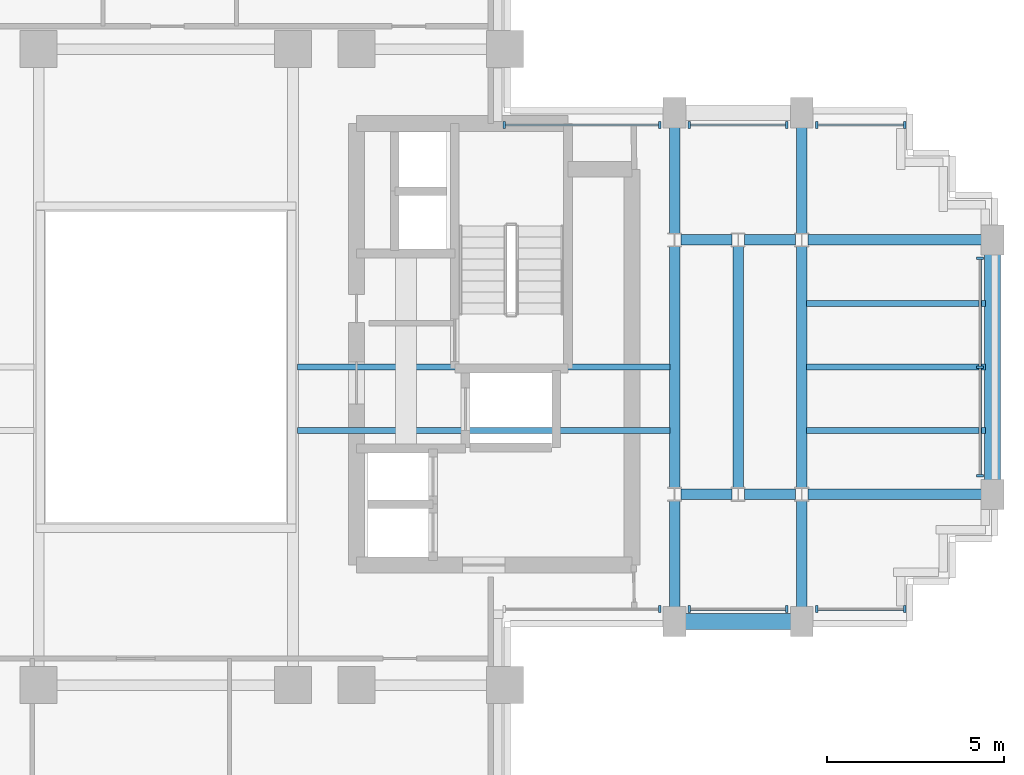
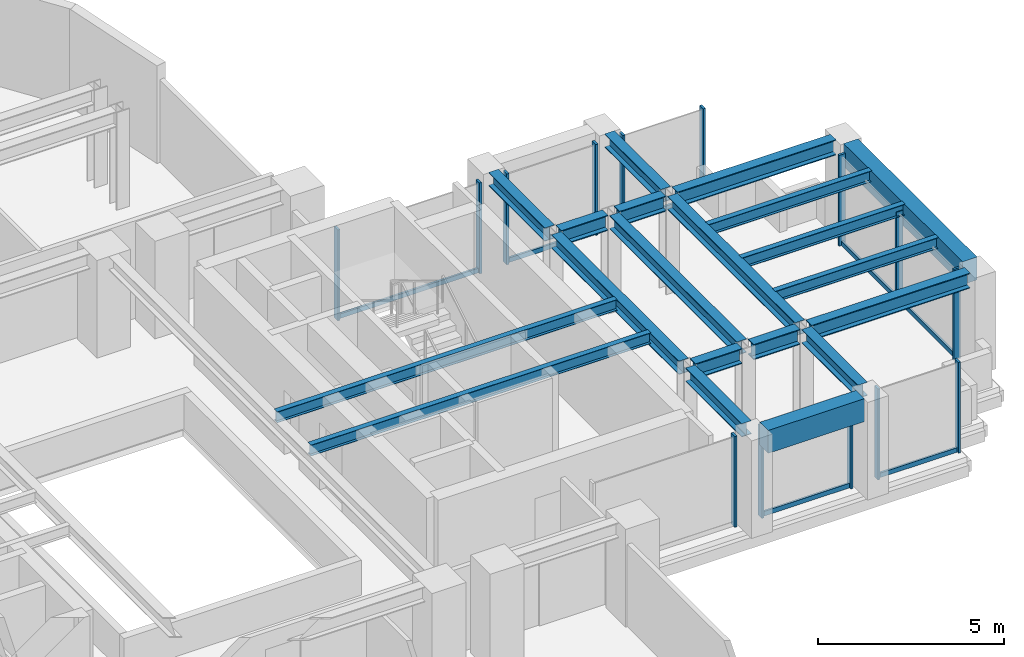
# One storey, part 5 of 13: 21 members, 20 beams, 7 elements without a shape of their own.
"""IFC4 building model written with IfcOpenShell, lengths in metres."""

from ifc_helpers import new_model, si_unit, direction, frame, origin, origin_2d, place, context, subcontext, project, spatial, rectangle, i_section, extrude, source, transform, mapped, material, material_profile, profile_set, type_object, element, aggregate, save


model = new_model("IFC4")

# Units and contexts
model_context = context("Model", 3, precision=1e-05, world=origin(), true_north=direction((0.0, 1.0)))
body_context = subcontext(model_context, "Body", "Model", "MODEL_VIEW")
ifc_project = project(units=[si_unit("LENGTHUNIT", "METRE"), si_unit("AREAUNIT", "SQUARE_METRE"), si_unit("VOLUMEUNIT", "CUBIC_METRE"), si_unit("PLANEANGLEUNIT", "RADIAN"), si_unit("MASSUNIT", "GRAM", prefix="KILO")], contexts=[model_context])

# Site, building, storey
site_placement = place(None, origin())
site = spatial("IfcSite", under=ifc_project, at=site_placement, CompositionType="ELEMENT")
building_placement = place(site_placement, origin())
building = spatial("IfcBuilding", under=site, at=building_placement, Name="Keilestroom Media Tower", CompositionType="ELEMENT")
storey_placement = place(building_placement, frame((0.0, 0.0, 144.800048828125)))
storey = spatial("IfcBuildingStorey", under=building, at=storey_placement, Name="L39", CompositionType="ELEMENT", Elevation=144.800048828125)

# Beams
ifc_material_1 = material(Name="Steel S355", Category="steel")
ifc_material_profile_1 = material_profile(ifc_material_1, i_section(OverallWidth=0.169921875, OverallDepth=0.360107421875, WebThickness=0.008056640625, FlangeThickness=0.0126953125, at=origin_2d()), Name="IPE 360")
ifc_profile_set_1 = profile_set([ifc_material_profile_1], Name="Steel S355")
beam_type_1 = type_object("IfcBeamType", Name="Secondary-Floor-Joist-IPE-360", PredefinedType="JOIST", material=ifc_profile_set_1)
shared_shape_1 = source(origin(), body_context, "Body", "SweptSolid", [
    extrude(i_section(OverallWidth=0.169921875, OverallDepth=0.360107421875, WebThickness=0.008056640625, FlangeThickness=0.0126953125, at=origin_2d()), origin(), (0.0, 0.0, 1.0), 10.5400390625),
])
for number, where, z_axis, x_axis, name in (
    (1, (3.72998046875, -1.800048828125, 3.02001953125), (1.0, 0.0, 0.0), (0.0, 1.0, 0.0), "L39 Beam BJ-5 JST-L39-074"),
    (2, (3.72998046875, 0.0, 3.02001953125), (1.0, 0.0, 0.0), (0.0, 1.0, 0.0), "L39 Beam BJ-5 JST-L39-079"),
):
    element("IfcBeam", number, at=place(storey_placement, frame(where, z_axis=z_axis, x_axis=x_axis)), inside=storey, type_object=beam_type_1, Name=name, PredefinedType="JOIST", context=body_context, shape_type="MappedRepresentation", body=[
        mapped(shared_shape_1, transform((0.0, 0.0, 0.0), x_axis=(1.0, 0.0, 0.0), y_axis=(0.0, 1.0, 0.0), z_axis=(0.0, 0.0, 1.0), scale=1.0)),
    ])
ifc_material_2 = material(Name="Precast concrete C40/50", Category="concrete")
ifc_material_profile_2 = material_profile(ifc_material_2, rectangle(XDim=0.449951171875, YDim=0.75, at=origin_2d()), Name="PC 450x750")
ifc_profile_set_2 = profile_set([ifc_material_profile_2], Name="Precast concrete C40/50")
beam_type_2 = type_object("IfcBeamType", Name="Perimeter-Spandrel-Beam-PC-450x750", PredefinedType="SPANDREL", material=ifc_profile_set_2)
shared_shape_2 = source(origin(), body_context, "Body", "SweptSolid", [
    extrude(rectangle(XDim=0.449951171875, YDim=0.75, at=origin_2d()), origin(), (0.0, 0.0, 1.0), 2.989990234375),
])
beam_1_placement = place(storey_placement, frame((14.705078125, -7.199951171875, 2.824951171875), z_axis=(1.0, 0.0, 0.0), x_axis=(0.0, 1.0, 0.0)))
element("IfcBeam", 3, at=beam_1_placement, inside=storey, type_object=beam_type_2, Name="L39 Beam SPB-1 BM-L39-EW-013", PredefinedType="SPANDREL", context=body_context, shape_type="MappedRepresentation", body=[
    mapped(shared_shape_2, transform((0.0, 0.0, 0.0), x_axis=(1.0, 0.0, 0.0), y_axis=(0.0, 1.0, 0.0), z_axis=(0.0, 0.0, 1.0), scale=1.0)),
])
ifc_material_profile_3 = material_profile(ifc_material_1, i_section(OverallWidth=0.300048828125, OverallDepth=0.5, WebThickness=0.012451171875, FlangeThickness=0.028076171875, at=origin_2d()), Name="HEB 500")
ifc_profile_set_3 = profile_set([ifc_material_profile_3], Name="Steel S355")
beam_type_3 = type_object("IfcBeamType", Name="Primary-Structural-Girder-HEB-500", PredefinedType="BEAM", material=ifc_profile_set_3)
shared_shape_3 = source(origin(), body_context, "Body", "SweptSolid", [
    extrude(i_section(OverallWidth=0.300048828125, OverallDepth=0.5, WebThickness=0.012451171875, FlangeThickness=0.028076171875, at=origin_2d()), origin(), (0.0, 0.0, 1.0), 4.91455078125),
])
for number, where, z_axis, x_axis, name in (
    (4, (18.180419921875, -3.60009765625, 2.949951171875), (1.0, 0.0, 0.0), (0.0, 1.0, 0.0), "L39 Beam BG-6 BM-L39-EW-019"),
    (5, (18.180419921875, 3.60009765625, 2.949951171875), (1.0, 0.0, 0.0), (0.0, 1.0, 0.0), "L39 Beam BG-6 BM-L39-EW-025"),
):
    element("IfcBeam", number, at=place(storey_placement, frame(where, z_axis=z_axis, x_axis=x_axis)), inside=storey, type_object=beam_type_3, Name=name, PredefinedType="BEAM", context=body_context, shape_type="MappedRepresentation", body=[
        mapped(shared_shape_3, transform((0.0, 0.0, 0.0), x_axis=(1.0, 0.0, 0.0), y_axis=(0.0, 1.0, 0.0), z_axis=(0.0, 0.0, 1.0), scale=1.0)),
    ])
shared_shape_4 = source(origin(), body_context, "Body", "SweptSolid", [
    extrude(i_section(OverallWidth=0.300048828125, OverallDepth=0.5, WebThickness=0.012451171875, FlangeThickness=0.028076171875, at=origin_2d()), origin(), (0.0, 0.0, 1.0), 1.43896484375),
])
for number, where, z_axis, x_axis, name in (
    (6, (14.58056640625, -3.60009765625, 2.949951171875), (1.0, 0.0, 0.0), (0.0, 1.0, 0.0), "L39 Beam BG-6 BM-L39-EW-017"),
    (7, (16.380615234375, -3.60009765625, 2.949951171875), (1.0, 0.0, 0.0), (0.0, 1.0, 0.0), "L39 Beam BG-6 BM-L39-EW-018"),
    (8, (14.58056640625, 3.60009765625, 2.949951171875), (1.0, 0.0, 0.0), (0.0, 1.0, 0.0), "L39 Beam BG-6 BM-L39-EW-023"),
    (9, (16.380615234375, 3.60009765625, 2.949951171875), (1.0, 0.0, 0.0), (0.0, 1.0, 0.0), "L39 Beam BG-6 BM-L39-EW-024"),
):
    element("IfcBeam", number, at=place(storey_placement, frame(where, z_axis=z_axis, x_axis=x_axis)), inside=storey, type_object=beam_type_3, Name=name, PredefinedType="BEAM", context=body_context, shape_type="MappedRepresentation", body=[
        mapped(shared_shape_4, transform((0.0, 0.0, 0.0), x_axis=(1.0, 0.0, 0.0), y_axis=(0.0, 1.0, 0.0), z_axis=(0.0, 0.0, 1.0), scale=1.0)),
    ])
shared_shape_5 = source(origin(), body_context, "Body", "SweptSolid", [
    extrude(rectangle(XDim=0.449951171875, YDim=0.75, at=origin_2d()), origin(), (0.0, 0.0, 1.0), 6.39013671875),
])
beam_2_placement = place(storey_placement, frame((23.39990234375, -3.195068359375, 2.824951171875), z_axis=(0.0, 1.0, 0.0), x_axis=(-1.0, 0.0, 0.0)))
element("IfcBeam", 10, at=beam_2_placement, inside=storey, type_object=beam_type_2, Name="L39 Beam SPB-1 BM-L39-NS-068", PredefinedType="SPANDREL", context=body_context, shape_type="MappedRepresentation", body=[
    mapped(shared_shape_5, transform((0.0, 0.0, 0.0), x_axis=(1.0, 0.0, 0.0), y_axis=(0.0, 1.0, 0.0), z_axis=(0.0, 0.0, 1.0), scale=1.0)),
])
shared_shape_6 = source(origin(), body_context, "Body", "SweptSolid", [
    extrude(i_section(OverallWidth=0.169921875, OverallDepth=0.360107421875, WebThickness=0.008056640625, FlangeThickness=0.0126953125, at=origin_2d()), origin(), (0.0, 0.0, 1.0), 5.065185546875),
])
for number, where, z_axis, x_axis, name in (
    (11, (18.1298828125, -1.800048828125, 3.02001953125), (1.0, 0.0, 0.0), (0.0, 1.0, 0.0), "L39 Beam BJ-5 JST-L39-075"),
    (12, (18.1298828125, 0.0, 3.02001953125), (1.0, 0.0, 0.0), (0.0, 1.0, 0.0), "L39 Beam BJ-5 JST-L39-080"),
    (13, (18.1298828125, 1.800048828125, 3.02001953125), (1.0, 0.0, 0.0), (0.0, 1.0, 0.0), "L39 Beam BJ-5 JST-L39-085"),
):
    element("IfcBeam", number, at=place(storey_placement, frame(where, z_axis=z_axis, x_axis=x_axis)), inside=storey, type_object=beam_type_1, Name=name, PredefinedType="JOIST", context=body_context, shape_type="MappedRepresentation", body=[
        mapped(shared_shape_6, transform((0.0, 0.0, 0.0), x_axis=(1.0, 0.0, 0.0), y_axis=(0.0, 1.0, 0.0), z_axis=(0.0, 0.0, 1.0), scale=1.0)),
    ])
ifc_material_profile_4 = material_profile(ifc_material_1, i_section(OverallWidth=0.300048828125, OverallDepth=0.43994140625, WebThickness=0.011474609375, FlangeThickness=0.02099609375, at=origin_2d()), Name="HEA 450")
ifc_profile_set_4 = profile_set([ifc_material_profile_4], Name="Steel S355")
beam_type_4 = type_object("IfcBeamType", Name="Primary-Structural-Girder-HEA-450", PredefinedType="BEAM", material=ifc_profile_set_4)
shared_shape_7 = source(origin(), body_context, "Body", "SweptSolid", [
    extrude(i_section(OverallWidth=0.300048828125, OverallDepth=0.43994140625, WebThickness=0.011474609375, FlangeThickness=0.02099609375, at=origin_2d()), origin(), (0.0, 0.0, 1.0), 3.015380859375),
])
for number, where, z_axis, x_axis, name in (
    (14, (14.39990234375, -6.794921875, 2.97998046875), (0.0, 1.0, 0.0), (-1.0, 0.0, 0.0), "L39 Beam BG-11 BM-L39-NS-061"),
    (15, (14.39990234375, 3.779541015625, 2.97998046875), (0.0, 1.0, 0.0), (-1.0, 0.0, 0.0), "L39 Beam BG-11 BM-L39-NS-063"),
    (16, (18.0, -6.794921875, 2.97998046875), (0.0, 1.0, 0.0), (-1.0, 0.0, 0.0), "L39 Beam BG-11 BM-L39-NS-065"),
    (17, (18.0, 3.779541015625, 2.97998046875), (0.0, 1.0, 0.0), (-1.0, 0.0, 0.0), "L39 Beam BG-11 BM-L39-NS-067"),
):
    element("IfcBeam", number, at=place(storey_placement, frame(where, z_axis=z_axis, x_axis=x_axis)), inside=storey, type_object=beam_type_4, Name=name, PredefinedType="BEAM", context=body_context, shape_type="MappedRepresentation", body=[
        mapped(shared_shape_7, transform((0.0, 0.0, 0.0), x_axis=(1.0, 0.0, 0.0), y_axis=(0.0, 1.0, 0.0), z_axis=(0.0, 0.0, 1.0), scale=1.0)),
    ])
shared_shape_8 = source(origin(), body_context, "Body", "SweptSolid", [
    extrude(i_section(OverallWidth=0.300048828125, OverallDepth=0.43994140625, WebThickness=0.011474609375, FlangeThickness=0.02099609375, at=origin_2d()), origin(), (0.0, 0.0, 1.0), 6.8408203125),
])
for number, where, z_axis, x_axis, name in (
    (18, (14.39990234375, -3.42041015625, 2.97998046875), (0.0, 1.0, 0.0), (-1.0, 0.0, 0.0), "L39 Beam BG-11 BM-L39-NS-062"),
    (19, (16.199951171875, -3.42041015625, 2.97998046875), (0.0, 1.0, 0.0), (-1.0, 0.0, 0.0), "L39 Beam BG-11 BM-L39-NS-064"),
    (20, (18.0, -3.42041015625, 2.97998046875), (0.0, 1.0, 0.0), (-1.0, 0.0, 0.0), "L39 Beam BG-11 BM-L39-NS-066"),
):
    element("IfcBeam", number, at=place(storey_placement, frame(where, z_axis=z_axis, x_axis=x_axis)), inside=storey, type_object=beam_type_4, Name=name, PredefinedType="BEAM", context=body_context, shape_type="MappedRepresentation", body=[
        mapped(shared_shape_8, transform((0.0, 0.0, 0.0), x_axis=(1.0, 0.0, 0.0), y_axis=(0.0, 1.0, 0.0), z_axis=(0.0, 0.0, 1.0), scale=1.0)),
    ])

# Curtain wall, members
ifc_material_3 = material(Name="Anodised Aluminium Alloy", Category="aluminium")
curtain_wall_type = type_object("IfcCurtainWallType", Name="Unitised-Curtain-Wall-CW-2", PredefinedType="NOTDEFINED", material=ifc_material_3)
curtain_wall_1_placement = place(storey_placement, origin())
curtain_wall_1 = element("IfcCurtainWall", 21, at=curtain_wall_1_placement, inside=storey, type_object=curtain_wall_type, Name="L39 Curtain Wall CW-2 CW-L39-E-1", PredefinedType="NOTDEFINED")
ifc_material_profile_5 = material_profile(ifc_material_3, rectangle(XDim=0.070068359375, YDim=0.199951171875, at=origin_2d()), Name="ALU MULLION 70x200")
ifc_profile_set_5 = profile_set([ifc_material_profile_5], Name="Anodised Aluminium Alloy")
member_type_1 = type_object("IfcMemberType", Name="Curtain-Wall-Mullion-CW-2", PredefinedType="MULLION", material=ifc_profile_set_5)
shared_shape_9 = source(origin(), body_context, "Body", "SweptSolid", [
    extrude(rectangle(XDim=0.070068359375, YDim=0.199951171875, at=origin_2d()), origin(), (0.0, 0.0, 1.0), 2.97998046875),
])
member_1_placement = place(storey_placement, frame((23.050048828125, -3.080078125, 0.0), z_axis=(0.0, 0.0, 1.0), x_axis=(0.0, 1.0, 0.0)))
member_1 = element("IfcMember", 22, at=member_1_placement, type_object=member_type_1, Name="CW-2 Mullion 00", PredefinedType="MULLION", context=body_context, shape_type="MappedRepresentation", body=[
    mapped(shared_shape_9, transform((0.0, 0.0, 0.0), x_axis=(1.0, 0.0, 0.0), y_axis=(0.0, 1.0, 0.0), z_axis=(0.0, 0.0, 1.0), scale=1.0)),
])
member_2_placement = place(storey_placement, frame((23.050048828125, 0.0, 0.0), z_axis=(0.0, 0.0, 1.0), x_axis=(0.0, 1.0, 0.0)))
member_2 = element("IfcMember", 23, at=member_2_placement, type_object=member_type_1, Name="CW-2 Mullion 01", PredefinedType="MULLION", context=body_context, shape_type="MappedRepresentation", body=[
    mapped(shared_shape_9, transform((0.0, 0.0, 0.0), x_axis=(1.0, 0.0, 0.0), y_axis=(0.0, 1.0, 0.0), z_axis=(0.0, 0.0, 1.0), scale=1.0)),
])
member_3_placement = place(storey_placement, frame((23.050048828125, 3.080078125, 0.0), z_axis=(0.0, 0.0, 1.0), x_axis=(0.0, 1.0, 0.0)))
member_3 = element("IfcMember", 24, at=member_3_placement, type_object=member_type_1, Name="CW-2 Mullion 02", PredefinedType="MULLION", context=body_context, shape_type="MappedRepresentation", body=[
    mapped(shared_shape_9, transform((0.0, 0.0, 0.0), x_axis=(1.0, 0.0, 0.0), y_axis=(0.0, 1.0, 0.0), z_axis=(0.0, 0.0, 1.0), scale=1.0)),
])

curtain_wall_2_placement = place(storey_placement, origin())
curtain_wall_2 = element("IfcCurtainWall", 25, at=curtain_wall_2_placement, inside=storey, type_object=curtain_wall_type, Name="L39 Curtain Wall CW-2 CW-L39-NE-1", PredefinedType="NOTDEFINED")
member_4_placement = place(storey_placement, frame((9.5849609375, 6.85009765625, 0.0), z_axis=(0.0, 0.0, 1.0), x_axis=(1.0, 0.0, 0.0)))
member_4 = element("IfcMember", 26, at=member_4_placement, type_object=member_type_1, Name="CW-2 Mullion 00", PredefinedType="MULLION", context=body_context, shape_type="MappedRepresentation", body=[
    mapped(shared_shape_9, transform((0.0, 0.0, 0.0), x_axis=(1.0, 0.0, 0.0), y_axis=(0.0, 1.0, 0.0), z_axis=(0.0, 0.0, 1.0), scale=1.0)),
])
member_5_placement = place(storey_placement, frame((13.97998046875, 6.85009765625, 0.0), z_axis=(0.0, 0.0, 1.0), x_axis=(1.0, 0.0, 0.0)))
member_5 = element("IfcMember", 27, at=member_5_placement, type_object=member_type_1, Name="CW-2 Mullion 01", PredefinedType="MULLION", context=body_context, shape_type="MappedRepresentation", body=[
    mapped(shared_shape_9, transform((0.0, 0.0, 0.0), x_axis=(1.0, 0.0, 0.0), y_axis=(0.0, 1.0, 0.0), z_axis=(0.0, 0.0, 1.0), scale=1.0)),
])

curtain_wall_3_placement = place(storey_placement, origin())
curtain_wall_3 = element("IfcCurtainWall", 28, at=curtain_wall_3_placement, inside=storey, type_object=curtain_wall_type, Name="L39 Curtain Wall CW-2 CW-L39-NE-2", PredefinedType="NOTDEFINED")
member_6_placement = place(storey_placement, frame((14.820068359375, 6.85009765625, 0.0), z_axis=(0.0, 0.0, 1.0), x_axis=(1.0, 0.0, 0.0)))
member_6 = element("IfcMember", 29, at=member_6_placement, type_object=member_type_1, Name="CW-2 Mullion 00", PredefinedType="MULLION", context=body_context, shape_type="MappedRepresentation", body=[
    mapped(shared_shape_9, transform((0.0, 0.0, 0.0), x_axis=(1.0, 0.0, 0.0), y_axis=(0.0, 1.0, 0.0), z_axis=(0.0, 0.0, 1.0), scale=1.0)),
])
member_7_placement = place(storey_placement, frame((17.580078125, 6.85009765625, 0.0), z_axis=(0.0, 0.0, 1.0), x_axis=(1.0, 0.0, 0.0)))
member_7 = element("IfcMember", 30, at=member_7_placement, type_object=member_type_1, Name="CW-2 Mullion 01", PredefinedType="MULLION", context=body_context, shape_type="MappedRepresentation", body=[
    mapped(shared_shape_9, transform((0.0, 0.0, 0.0), x_axis=(1.0, 0.0, 0.0), y_axis=(0.0, 1.0, 0.0), z_axis=(0.0, 0.0, 1.0), scale=1.0)),
])

curtain_wall_4_placement = place(storey_placement, origin())
curtain_wall_4 = element("IfcCurtainWall", 31, at=curtain_wall_4_placement, inside=storey, type_object=curtain_wall_type, Name="L39 Curtain Wall CW-2 CW-L39-NE-3", PredefinedType="NOTDEFINED")
member_8_placement = place(storey_placement, frame((18.419921875, 6.85009765625, 0.0), z_axis=(0.0, 0.0, 1.0), x_axis=(1.0, 0.0, 0.0)))
member_8 = element("IfcMember", 32, at=member_8_placement, type_object=member_type_1, Name="CW-2 Mullion 00", PredefinedType="MULLION", context=body_context, shape_type="MappedRepresentation", body=[
    mapped(shared_shape_9, transform((0.0, 0.0, 0.0), x_axis=(1.0, 0.0, 0.0), y_axis=(0.0, 1.0, 0.0), z_axis=(0.0, 0.0, 1.0), scale=1.0)),
])
member_9_placement = place(storey_placement, frame((20.9150390625, 6.85009765625, 0.0), z_axis=(0.0, 0.0, 1.0), x_axis=(1.0, 0.0, 0.0)))
member_9 = element("IfcMember", 33, at=member_9_placement, type_object=member_type_1, Name="CW-2 Mullion 01", PredefinedType="MULLION", context=body_context, shape_type="MappedRepresentation", body=[
    mapped(shared_shape_9, transform((0.0, 0.0, 0.0), x_axis=(1.0, 0.0, 0.0), y_axis=(0.0, 1.0, 0.0), z_axis=(0.0, 0.0, 1.0), scale=1.0)),
])

# Curtain wall, member
curtain_wall_5_placement = place(storey_placement, origin())
curtain_wall_5 = element("IfcCurtainWall", 34, at=curtain_wall_5_placement, inside=storey, type_object=curtain_wall_type, Name="L39 Curtain Wall CW-2 CW-L39-SE-1", PredefinedType="NOTDEFINED")
member_10_placement = place(storey_placement, frame((13.97998046875, -6.85009765625, 0.0), z_axis=(0.0, 0.0, 1.0), x_axis=(1.0, 0.0, 0.0)))
member_10 = element("IfcMember", 35, at=member_10_placement, type_object=member_type_1, Name="CW-2 Mullion 01", PredefinedType="MULLION", context=body_context, shape_type="MappedRepresentation", body=[
    mapped(shared_shape_9, transform((0.0, 0.0, 0.0), x_axis=(1.0, 0.0, 0.0), y_axis=(0.0, 1.0, 0.0), z_axis=(0.0, 0.0, 1.0), scale=1.0)),
])
aggregate(curtain_wall_5, [member_10])

# Curtain wall, members
curtain_wall_6_placement = place(storey_placement, origin())
curtain_wall_6 = element("IfcCurtainWall", 36, at=curtain_wall_6_placement, inside=storey, type_object=curtain_wall_type, Name="L39 Curtain Wall CW-2 CW-L39-SE-2", PredefinedType="NOTDEFINED")
member_11_placement = place(storey_placement, frame((14.820068359375, -6.85009765625, 0.0), z_axis=(0.0, 0.0, 1.0), x_axis=(1.0, 0.0, 0.0)))
member_11 = element("IfcMember", 37, at=member_11_placement, type_object=member_type_1, Name="CW-2 Mullion 00", PredefinedType="MULLION", context=body_context, shape_type="MappedRepresentation", body=[
    mapped(shared_shape_9, transform((0.0, 0.0, 0.0), x_axis=(1.0, 0.0, 0.0), y_axis=(0.0, 1.0, 0.0), z_axis=(0.0, 0.0, 1.0), scale=1.0)),
])
member_12_placement = place(storey_placement, frame((17.580078125, -6.85009765625, 0.0), z_axis=(0.0, 0.0, 1.0), x_axis=(1.0, 0.0, 0.0)))
member_12 = element("IfcMember", 38, at=member_12_placement, type_object=member_type_1, Name="CW-2 Mullion 01", PredefinedType="MULLION", context=body_context, shape_type="MappedRepresentation", body=[
    mapped(shared_shape_9, transform((0.0, 0.0, 0.0), x_axis=(1.0, 0.0, 0.0), y_axis=(0.0, 1.0, 0.0), z_axis=(0.0, 0.0, 1.0), scale=1.0)),
])

curtain_wall_7_placement = place(storey_placement, origin())
curtain_wall_7 = element("IfcCurtainWall", 39, at=curtain_wall_7_placement, inside=storey, type_object=curtain_wall_type, Name="L39 Curtain Wall CW-2 CW-L39-SE-3", PredefinedType="NOTDEFINED")
member_13_placement = place(storey_placement, frame((18.419921875, -6.85009765625, 0.0), z_axis=(0.0, 0.0, 1.0), x_axis=(1.0, 0.0, 0.0)))
member_13 = element("IfcMember", 40, at=member_13_placement, type_object=member_type_1, Name="CW-2 Mullion 00", PredefinedType="MULLION", context=body_context, shape_type="MappedRepresentation", body=[
    mapped(shared_shape_9, transform((0.0, 0.0, 0.0), x_axis=(1.0, 0.0, 0.0), y_axis=(0.0, 1.0, 0.0), z_axis=(0.0, 0.0, 1.0), scale=1.0)),
])
member_14_placement = place(storey_placement, frame((20.9150390625, -6.85009765625, 0.0), z_axis=(0.0, 0.0, 1.0), x_axis=(1.0, 0.0, 0.0)))
member_14 = element("IfcMember", 41, at=member_14_placement, type_object=member_type_1, Name="CW-2 Mullion 01", PredefinedType="MULLION", context=body_context, shape_type="MappedRepresentation", body=[
    mapped(shared_shape_9, transform((0.0, 0.0, 0.0), x_axis=(1.0, 0.0, 0.0), y_axis=(0.0, 1.0, 0.0), z_axis=(0.0, 0.0, 1.0), scale=1.0)),
])

# Member
ifc_material_profile_6 = material_profile(ifc_material_3, rectangle(XDim=0.06494140625, YDim=0.14990234375, at=origin_2d()), Name="ALU TRANSOM 65x150")
ifc_profile_set_6 = profile_set([ifc_material_profile_6], Name="Anodised Aluminium Alloy")
member_type_2 = type_object("IfcMemberType", Name="Curtain-Wall-Transom-CW-2", PredefinedType="USERDEFINED", material=ifc_profile_set_6)
shared_shape_10 = source(origin(), body_context, "Body", "SweptSolid", [
    extrude(rectangle(XDim=0.06494140625, YDim=0.14990234375, at=origin_2d()), origin(), (0.0, 0.0, 1.0), 2.42919921875),
])
member_15_placement = place(storey_placement, frame((18.452880859375, 6.85009765625, 0.074951171875), z_axis=(1.0, 0.0, 0.0), x_axis=(0.0, 1.0, 0.0)))
member_15 = element("IfcMember", 42, at=member_15_placement, type_object=member_type_2, Name="CW-2 Transom 00.1", ObjectType="TRANSOM", PredefinedType="USERDEFINED", context=body_context, shape_type="MappedRepresentation", body=[
    mapped(shared_shape_10, transform((0.0, 0.0, 0.0), x_axis=(1.0, 0.0, 0.0), y_axis=(0.0, 1.0, 0.0), z_axis=(0.0, 0.0, 1.0), scale=1.0)),
])

aggregate(curtain_wall_4, [member_8, member_9, member_15])

member_16_placement = place(storey_placement, frame((18.452880859375, -6.85009765625, 0.074951171875), z_axis=(1.0, 0.0, 0.0), x_axis=(0.0, 1.0, 0.0)))
member_16 = element("IfcMember", 43, at=member_16_placement, type_object=member_type_2, Name="CW-2 Transom 00.1", ObjectType="TRANSOM", PredefinedType="USERDEFINED", context=body_context, shape_type="MappedRepresentation", body=[
    mapped(shared_shape_10, transform((0.0, 0.0, 0.0), x_axis=(1.0, 0.0, 0.0), y_axis=(0.0, 1.0, 0.0), z_axis=(0.0, 0.0, 1.0), scale=1.0)),
])

aggregate(curtain_wall_7, [member_13, member_14, member_16])

shared_shape_11 = source(origin(), body_context, "Body", "SweptSolid", [
    extrude(rectangle(XDim=0.06494140625, YDim=0.14990234375, at=origin_2d()), origin(), (0.0, 0.0, 1.0), 2.694091796875),
])
member_17_placement = place(storey_placement, frame((14.85302734375, 6.85009765625, 0.074951171875), z_axis=(1.0, 0.0, 0.0), x_axis=(0.0, 1.0, 0.0)))
member_17 = element("IfcMember", 44, at=member_17_placement, type_object=member_type_2, Name="CW-2 Transom 00.1", ObjectType="TRANSOM", PredefinedType="USERDEFINED", context=body_context, shape_type="MappedRepresentation", body=[
    mapped(shared_shape_11, transform((0.0, 0.0, 0.0), x_axis=(1.0, 0.0, 0.0), y_axis=(0.0, 1.0, 0.0), z_axis=(0.0, 0.0, 1.0), scale=1.0)),
])

aggregate(curtain_wall_3, [member_6, member_7, member_17])

member_18_placement = place(storey_placement, frame((14.85302734375, -6.85009765625, 0.074951171875), z_axis=(1.0, 0.0, 0.0), x_axis=(0.0, 1.0, 0.0)))
member_18 = element("IfcMember", 45, at=member_18_placement, type_object=member_type_2, Name="CW-2 Transom 00.1", ObjectType="TRANSOM", PredefinedType="USERDEFINED", context=body_context, shape_type="MappedRepresentation", body=[
    mapped(shared_shape_11, transform((0.0, 0.0, 0.0), x_axis=(1.0, 0.0, 0.0), y_axis=(0.0, 1.0, 0.0), z_axis=(0.0, 0.0, 1.0), scale=1.0)),
])

aggregate(curtain_wall_6, [member_11, member_12, member_18])

shared_shape_12 = source(origin(), body_context, "Body", "SweptSolid", [
    extrude(rectangle(XDim=0.06494140625, YDim=0.14990234375, at=origin_2d()), origin(), (0.0, 0.0, 1.0), 4.3291015625),
])
member_19_placement = place(storey_placement, frame((9.617919921875, 6.85009765625, 0.074951171875), z_axis=(1.0, 0.0, 0.0), x_axis=(0.0, 1.0, 0.0)))
member_19 = element("IfcMember", 46, at=member_19_placement, type_object=member_type_2, Name="CW-2 Transom 00.1", ObjectType="TRANSOM", PredefinedType="USERDEFINED", context=body_context, shape_type="MappedRepresentation", body=[
    mapped(shared_shape_12, transform((0.0, 0.0, 0.0), x_axis=(1.0, 0.0, 0.0), y_axis=(0.0, 1.0, 0.0), z_axis=(0.0, 0.0, 1.0), scale=1.0)),
])

aggregate(curtain_wall_2, [member_4, member_5, member_19])

shared_shape_13 = source(origin(), body_context, "Body", "SweptSolid", [
    extrude(rectangle(XDim=0.06494140625, YDim=0.14990234375, at=origin_2d()), origin(), (0.0, 0.0, 1.0), 3.01416015625),
])
member_20_placement = place(storey_placement, frame((23.050048828125, -3.047119140625, 0.074951171875), z_axis=(0.0, 1.0, 0.0), x_axis=(-1.0, 0.0, 0.0)))
member_20 = element("IfcMember", 47, at=member_20_placement, type_object=member_type_2, Name="CW-2 Transom 00.1", ObjectType="TRANSOM", PredefinedType="USERDEFINED", context=body_context, shape_type="MappedRepresentation", body=[
    mapped(shared_shape_13, transform((0.0, 0.0, 0.0), x_axis=(1.0, 0.0, 0.0), y_axis=(0.0, 1.0, 0.0), z_axis=(0.0, 0.0, 1.0), scale=1.0)),
])

member_21_placement = place(storey_placement, frame((23.050048828125, 0.032958984375, 0.074951171875), z_axis=(0.0, 1.0, 0.0), x_axis=(-1.0, 0.0, 0.0)))
member_21 = element("IfcMember", 48, at=member_21_placement, type_object=member_type_2, Name="CW-2 Transom 01.1", ObjectType="TRANSOM", PredefinedType="USERDEFINED", context=body_context, shape_type="MappedRepresentation", body=[
    mapped(shared_shape_13, transform((0.0, 0.0, 0.0), x_axis=(1.0, 0.0, 0.0), y_axis=(0.0, 1.0, 0.0), z_axis=(0.0, 0.0, 1.0), scale=1.0)),
])

aggregate(curtain_wall_1, [member_1, member_2, member_3, member_20, member_21])

save(model, "model.ifc")
